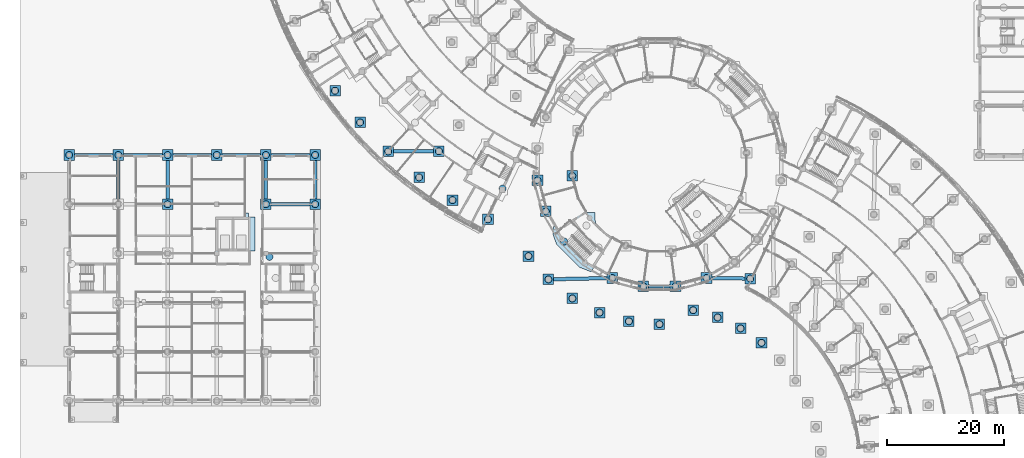
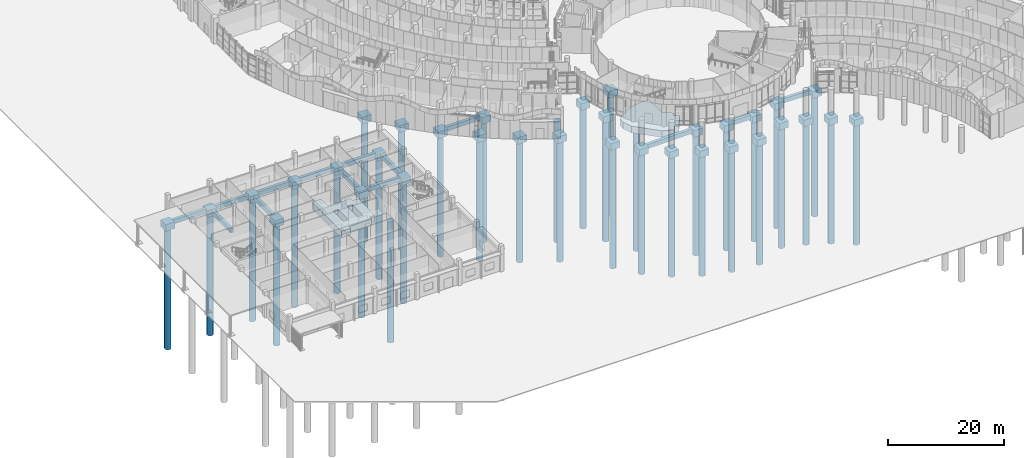
# One storey, part 2 of 146: 50 footings, 37 piles.
"""IFC4 building model written with IfcOpenShell, lengths in metres."""

from ifc_helpers import new_model, si_unit, direction, frame, origin, origin_2d, place, context, subcontext, project, spatial, polyline, rectangle, circle, outline, extrude, material, material_profile, profile_set, type_object, element, save


model = new_model("IFC4")

# Units and contexts
model_context = context("Model", 3, precision=1e-05, world=origin(), true_north=direction((0.0, 1.0)))
body_context = subcontext(model_context, "Body", "Model", "MODEL_VIEW")
ifc_project = project(units=[si_unit("LENGTHUNIT", "METRE"), si_unit("AREAUNIT", "SQUARE_METRE"), si_unit("VOLUMEUNIT", "CUBIC_METRE"), si_unit("PLANEANGLEUNIT", "RADIAN"), si_unit("MASSUNIT", "GRAM", prefix="KILO")], contexts=[model_context])

# Site, building, storey
site_placement = place(None, origin())
site = spatial("IfcSite", under=ifc_project, at=site_placement, CompositionType="ELEMENT")
building_placement = place(site_placement, origin())
building = spatial("IfcBuilding", under=site, at=building_placement, Name="Bougainvillea Quay General Hospital", CompositionType="ELEMENT")
storey_placement = place(building_placement, origin())
storey = spatial("IfcBuildingStorey", under=building, at=storey_placement, Name="L00", CompositionType="ELEMENT", Elevation=0.0)

# Piles
ifc_material_1 = material(Name="Concrete C40", Category="concrete")
ifc_material_profile_1 = material_profile(ifc_material_1, circle(Radius=0.60009765625, at=origin_2d()))
ifc_profile_set_1 = profile_set([ifc_material_profile_1], Name="Concrete C40")
pile_type = type_object("IfcPileType", Name="BORED PILE D1200 C40", PredefinedType="BORED", material=ifc_profile_set_1)
for number, where, z_axis, x_axis, name in (
    (1, (126.632080078125, 43.527099609375, -1.60009765625), (0.0, 0.0, -1.0), (1.0, 0.0, 0.0), "Bored pile 033-01"),
    (2, (123.050048828125, 45.989013671875, -1.60009765625), (0.0, 0.0, -1.0), (1.0, 0.0, 0.0), "Bored pile 036-01"),
    (3, (109.199951171875, 46.699951171875, -1.60009765625), (0.0, 0.0, -1.0), (1.0, 0.0, 0.0), "Bored pile 040-01"),
    (4, (103.990966796875, 47.201904296875, -1.60009765625), (0.0, 0.0, -1.0), (1.0, 0.0, 0.0), "Bored pile 041-01"),
    (5, (119.126953125, 47.860107421875, -1.60009765625), (0.0, 0.0, -1.0), (1.0, 0.0, 0.0), "Bored pile 042-01"),
    (6, (98.972900390625, 48.68798828125, -1.60009765625), (0.0, 0.0, -1.0), (1.0, 0.0, 0.0), "Bored pile 043-01"),
    (7, (114.958984375, 49.094970703125, -1.60009765625), (0.0, 0.0, -1.0), (1.0, 0.0, 0.0), "Bored pile 044-01"),
    (8, (94.3310546875, 51.10400390625, -1.60009765625), (0.0, 0.0, -1.0), (1.0, 0.0, 0.0), "Bored pile 051-01"),
    (9, (106.458984375, 53.179931640625, -1.60009765625), (0.0, 0.0, -1.0), (1.0, 0.0, 0.0), "Bored pile 053-01"),
    (10, (111.94091796875, 53.179931640625, -1.60009765625), (0.0, 0.0, -1.0), (1.0, 0.0, 0.0), "Bored pile 054-01"),
    (11, (90.236083984375, 54.362060546875, -1.60009765625), (0.0, 0.0, -1.0), (1.0, 0.0, 0.0), "Bored pile 058-01"),
    (12, (124.697998046875, 54.492919921875, -1.60009765625), (0.0, 0.0, -1.0), (1.0, 0.0, 0.0), "Bored pile 059-01"),
    (13, (42.60009765625, 58.199951171875, -1.60009765625), (0.0, 0.0, -1.0), (1.0, 0.0, 0.0), "Bored pile 060-05"),
    (14, (101.1640625, 54.59912109375, -1.60009765625), (0.0, 0.0, -1.0), (1.0, 0.0, 0.0), "Bored pile 061-01"),
    (15, (117.236083984375, 54.59912109375, -1.60009765625), (0.0, 0.0, -1.0), (1.0, 0.0, 0.0), "Bored pile 062-01"),
    (16, (86.8369140625, 58.341064453125, -1.60009765625), (0.0, 0.0, -1.0), (1.0, 0.0, 0.0), "Bored pile 069-01"),
    (17, (92.934814453125, 60.818115234375, -1.60009765625), (0.0, 0.0, -1.0), (1.0, 0.0, 0.0), "Bored pile 075-02"),
    (18, (79.925048828125, 64.6240234375, -1.60009765625), (0.0, 0.0, -1.0), (1.0, 0.0, 0.0), "Bored pile 081-01"),
    (19, (89.799072265625, 65.964111328125, -1.60009765625), (0.0, 0.0, -1.0), (1.0, 0.0, 0.0), "Bored pile 083-01"),
    (20, (25.199951171875, 67.199951171875, -1.60009765625), (0.0, 0.0, -1.0), (1.0, 0.0, 0.0), "Bored pile 088-01"),
    (21, (42.0, 67.199951171875, -1.60009765625), (0.0, 0.0, -1.0), (1.0, 0.0, 0.0), "Bored pile 089-01"),
    (22, (50.39990234375, 67.199951171875, -1.60009765625), (0.0, 0.0, -1.0), (1.0, 0.0, 0.0), "Bored pile 090-01"),
    (23, (73.861083984375, 67.904052734375, -1.60009765625), (0.0, 0.0, -1.0), (1.0, 0.0, 0.0), "Bored pile 091-01"),
    (24, (88.3798828125, 71.259033203125, -1.60009765625), (0.0, 0.0, -1.0), (1.0, 0.0, 0.0), "Bored pile 094-01"),
    (25, (68.158935546875, 71.781005859375, -1.60009765625), (0.0, 0.0, -1.0), (1.0, 0.0, 0.0), "Bored pile 096-01"),
    (26, (94.327880859375, 72.0419921875, -1.60009765625), (0.0, 0.0, -1.0), (1.0, 0.0, 0.0), "Bored pile 097-01"),
    (27, (82.421875, 69.859375, -1.60009765625), (0.0, 0.0, -1.0), (1.0, 0.0, 0.0), "Bored pile 098-01"),
    (28, (8.39990234375, 75.60009765625, -1.60009765625), (0.0, 0.0, -1.0), (1.0, 0.0, 0.0), "Bored pile 101-01"),
    (29, (16.800048828125, 75.60009765625, -1.60009765625), (0.0, 0.0, -1.0), (1.0, 0.0, 0.0), "Bored pile 102-01"),
    (30, (25.199951171875, 75.60009765625, -1.60009765625), (0.0, 0.0, -1.0), (1.0, 0.0, 0.0), "Bored pile 103-01"),
    (31, (33.60009765625, 75.60009765625, -1.60009765625), (0.0, 0.0, -1.0), (1.0, 0.0, 0.0), "Bored pile 104-01"),
    (32, (42.0, 75.60009765625, -1.60009765625), (0.0, 0.0, -1.0), (1.0, 0.0, 0.0), "Bored pile 105-01"),
    (33, (50.39990234375, 75.60009765625, -1.60009765625), (0.0, 0.0, -1.0), (1.0, 0.0, 0.0), "Bored pile 106-01"),
    (34, (62.8798828125, 76.216064453125, -1.60009765625), (0.0, 0.0, -1.0), (1.0, 0.0, 0.0), "Bored pile 114-01"),
    (35, (71.5390625, 76.2470703125, -1.60009765625), (0.0, 0.0, -1.0), (1.0, 0.0, 0.0), "Bored pile 115-01"),
    (36, (58.075927734375, 81.1630859375, -1.60009765625), (0.0, 0.0, -1.0), (1.0, 0.0, 0.0), "Bored pile 121-01"),
    (37, (53.799072265625, 86.570068359375, -1.60009765625), (0.0, 0.0, -1.0), (1.0, 0.0, 0.0), "Bored pile 133-01"),
):
    element("IfcPile", number, at=place(storey_placement, frame(where, z_axis=z_axis, x_axis=x_axis)), inside=storey, type_object=pile_type, Name=name, PredefinedType="BORED", context=body_context, shape_type="SweptSolid", body=[
        extrude(circle(Radius=0.60009765625, at=origin_2d()), origin(), (0.0, 0.0, 1.0), 25.39990234375),
    ])

# Footings
ifc_material_2 = material(Name="Concrete C35", Category="concrete")
footing_type_1 = type_object("IfcFootingType", Name="PILE CAP 1P D1200 1800x1800x1400", PredefinedType="PILE_CAP", material=ifc_material_2)
footing_1_placement = place(storey_placement, frame((0.0, 0.0, -1.699951171875)))
element("IfcFooting", 38, at=footing_1_placement, inside=storey, type_object=footing_type_1, Name="Pile cap PC1 033", PredefinedType="PILE_CAP", context=body_context, shape_type="SweptSolid", body=[
    extrude(outline(polyline([(125.73193359375, 42.626953125), (127.531982421875, 42.626953125), (127.531982421875, 44.427001953125), (125.73193359375, 44.427001953125), (125.73193359375, 42.626953125)])), origin(), (0.0, 0.0, 1.0), 1.39990234375),
])
footing_2_placement = place(storey_placement, frame((0.0, 0.0, -1.699951171875)))
element("IfcFooting", 39, at=footing_2_placement, inside=storey, type_object=footing_type_1, Name="Pile cap PC1 036", PredefinedType="PILE_CAP", context=body_context, shape_type="SweptSolid", body=[
    extrude(outline(polyline([(122.14990234375, 45.089111328125), (123.949951171875, 45.089111328125), (123.949951171875, 46.888916015625), (122.14990234375, 46.888916015625), (122.14990234375, 45.089111328125)])), origin(), (0.0, 0.0, 1.0), 1.39990234375),
])
footing_3_placement = place(storey_placement, frame((0.0, 0.0, -1.699951171875)))
element("IfcFooting", 40, at=footing_3_placement, inside=storey, type_object=footing_type_1, Name="Pile cap PC1 040", PredefinedType="PILE_CAP", context=body_context, shape_type="SweptSolid", body=[
    extrude(outline(polyline([(108.300048828125, 45.800048828125), (110.10009765625, 45.800048828125), (110.10009765625, 47.60009765625), (108.300048828125, 47.60009765625), (108.300048828125, 45.800048828125)])), origin(), (0.0, 0.0, 1.0), 1.39990234375),
])
footing_4_placement = place(storey_placement, frame((0.0, 0.0, -1.699951171875)))
element("IfcFooting", 41, at=footing_4_placement, inside=storey, type_object=footing_type_1, Name="Pile cap PC1 041", PredefinedType="PILE_CAP", context=body_context, shape_type="SweptSolid", body=[
    extrude(outline(polyline([(103.091064453125, 46.302001953125), (104.89111328125, 46.302001953125), (104.89111328125, 48.10205078125), (103.091064453125, 48.10205078125), (103.091064453125, 46.302001953125)])), origin(), (0.0, 0.0, 1.0), 1.39990234375),
])
footing_5_placement = place(storey_placement, frame((0.0, 0.0, -1.699951171875)))
element("IfcFooting", 42, at=footing_5_placement, inside=storey, type_object=footing_type_1, Name="Pile cap PC1 042", PredefinedType="PILE_CAP", context=body_context, shape_type="SweptSolid", body=[
    extrude(outline(polyline([(118.22705078125, 46.9599609375), (120.027099609375, 46.9599609375), (120.027099609375, 48.760009765625), (118.22705078125, 48.760009765625), (118.22705078125, 46.9599609375)])), origin(), (0.0, 0.0, 1.0), 1.39990234375),
])
footing_6_placement = place(storey_placement, frame((0.0, 0.0, -1.699951171875)))
element("IfcFooting", 43, at=footing_6_placement, inside=storey, type_object=footing_type_1, Name="Pile cap PC1 043", PredefinedType="PILE_CAP", context=body_context, shape_type="SweptSolid", body=[
    extrude(outline(polyline([(98.072998046875, 47.7880859375), (99.873046875, 47.7880859375), (99.873046875, 49.587890625), (98.072998046875, 49.587890625), (98.072998046875, 47.7880859375)])), origin(), (0.0, 0.0, 1.0), 1.39990234375),
])
footing_7_placement = place(storey_placement, frame((0.0, 0.0, -1.699951171875)))
element("IfcFooting", 44, at=footing_7_placement, inside=storey, type_object=footing_type_1, Name="Pile cap PC1 044", PredefinedType="PILE_CAP", context=body_context, shape_type="SweptSolid", body=[
    extrude(outline(polyline([(114.05908203125, 48.195068359375), (115.85888671875, 48.195068359375), (115.85888671875, 49.9951171875), (114.05908203125, 49.9951171875), (114.05908203125, 48.195068359375)])), origin(), (0.0, 0.0, 1.0), 1.39990234375),
])
footing_8_placement = place(storey_placement, frame((0.0, 0.0, -1.699951171875)))
element("IfcFooting", 45, at=footing_8_placement, inside=storey, type_object=footing_type_1, Name="Pile cap PC1 051", PredefinedType="PILE_CAP", context=body_context, shape_type="SweptSolid", body=[
    extrude(outline(polyline([(93.430908203125, 50.2041015625), (95.23095703125, 50.2041015625), (95.23095703125, 52.00390625), (93.430908203125, 52.00390625), (93.430908203125, 50.2041015625)])), origin(), (0.0, 0.0, 1.0), 1.39990234375),
])
footing_9_placement = place(storey_placement, frame((0.0, 0.0, -1.699951171875)))
element("IfcFooting", 46, at=footing_9_placement, inside=storey, type_object=footing_type_1, Name="Pile cap PC1 053", PredefinedType="PILE_CAP", context=body_context, shape_type="SweptSolid", body=[
    extrude(outline(polyline([(105.55908203125, 52.280029296875), (107.35888671875, 52.280029296875), (107.35888671875, 54.080078125), (105.55908203125, 54.080078125), (105.55908203125, 52.280029296875)])), origin(), (0.0, 0.0, 1.0), 1.39990234375),
])
footing_10_placement = place(storey_placement, frame((0.0, 0.0, -1.699951171875)))
element("IfcFooting", 47, at=footing_10_placement, inside=storey, type_object=footing_type_1, Name="Pile cap PC1 054", PredefinedType="PILE_CAP", context=body_context, shape_type="SweptSolid", body=[
    extrude(outline(polyline([(111.041015625, 52.280029296875), (112.841064453125, 52.280029296875), (112.841064453125, 54.080078125), (111.041015625, 54.080078125), (111.041015625, 52.280029296875)])), origin(), (0.0, 0.0, 1.0), 1.39990234375),
])
footing_11_placement = place(storey_placement, frame((0.0, 0.0, -1.699951171875)))
element("IfcFooting", 48, at=footing_11_placement, inside=storey, type_object=footing_type_1, Name="Pile cap PC1 058", PredefinedType="PILE_CAP", context=body_context, shape_type="SweptSolid", body=[
    extrude(outline(polyline([(89.3359375, 53.4619140625), (91.135986328125, 53.4619140625), (91.135986328125, 55.261962890625), (89.3359375, 55.261962890625), (89.3359375, 53.4619140625)])), origin(), (0.0, 0.0, 1.0), 1.39990234375),
])
footing_12_placement = place(storey_placement, frame((0.0, 0.0, -1.699951171875)))
element("IfcFooting", 49, at=footing_12_placement, inside=storey, type_object=footing_type_1, Name="Pile cap PC1 059", PredefinedType="PILE_CAP", context=body_context, shape_type="SweptSolid", body=[
    extrude(outline(polyline([(123.798095703125, 53.593017578125), (125.597900390625, 53.593017578125), (125.597900390625, 55.39306640625), (123.798095703125, 55.39306640625), (123.798095703125, 53.593017578125)])), origin(), (0.0, 0.0, 1.0), 1.39990234375),
])
footing_13_placement = place(storey_placement, frame((0.0, 0.0, -1.699951171875)))
element("IfcFooting", 50, at=footing_13_placement, inside=storey, type_object=footing_type_1, Name="Pile cap PC1 061", PredefinedType="PILE_CAP", context=body_context, shape_type="SweptSolid", body=[
    extrude(outline(polyline([(100.263916015625, 53.698974609375), (102.06396484375, 53.698974609375), (102.06396484375, 55.4990234375), (100.263916015625, 55.4990234375), (100.263916015625, 53.698974609375)])), origin(), (0.0, 0.0, 1.0), 1.39990234375),
])
footing_14_placement = place(storey_placement, frame((0.0, 0.0, -1.699951171875)))
element("IfcFooting", 51, at=footing_14_placement, inside=storey, type_object=footing_type_1, Name="Pile cap PC1 062", PredefinedType="PILE_CAP", context=body_context, shape_type="SweptSolid", body=[
    extrude(outline(polyline([(116.3359375, 53.698974609375), (118.135986328125, 53.698974609375), (118.135986328125, 55.4990234375), (116.3359375, 55.4990234375), (116.3359375, 53.698974609375)])), origin(), (0.0, 0.0, 1.0), 1.39990234375),
])
footing_15_placement = place(storey_placement, frame((0.0, 0.0, -1.699951171875)))
element("IfcFooting", 52, at=footing_15_placement, inside=storey, type_object=footing_type_1, Name="Pile cap PC1 069", PredefinedType="PILE_CAP", context=body_context, shape_type="SweptSolid", body=[
    extrude(outline(polyline([(85.93701171875, 57.44091796875), (87.737060546875, 57.44091796875), (87.737060546875, 59.240966796875), (85.93701171875, 59.240966796875), (85.93701171875, 57.44091796875)])), origin(), (0.0, 0.0, 1.0), 1.39990234375),
])
footing_16_placement = place(storey_placement, frame((0.0, 0.0, -1.699951171875)))
element("IfcFooting", 53, at=footing_16_placement, inside=storey, type_object=footing_type_1, Name="Pile cap PC1 081", PredefinedType="PILE_CAP", context=body_context, shape_type="SweptSolid", body=[
    extrude(outline(polyline([(79.02490234375, 63.72412109375), (80.824951171875, 63.72412109375), (80.824951171875, 65.52392578125), (79.02490234375, 65.52392578125), (79.02490234375, 63.72412109375)])), origin(), (0.0, 0.0, 1.0), 1.39990234375),
])
footing_17_placement = place(storey_placement, frame((0.0, 0.0, -1.699951171875)))
element("IfcFooting", 54, at=footing_17_placement, inside=storey, type_object=footing_type_1, Name="Pile cap PC1 083", PredefinedType="PILE_CAP", context=body_context, shape_type="SweptSolid", body=[
    extrude(outline(polyline([(88.89892578125, 65.06396484375), (90.698974609375, 65.06396484375), (90.698974609375, 66.864013671875), (88.89892578125, 66.864013671875), (88.89892578125, 65.06396484375)])), origin(), (0.0, 0.0, 1.0), 1.39990234375),
])
footing_18_placement = place(storey_placement, frame((0.0, 0.0, -1.699951171875)))
element("IfcFooting", 55, at=footing_18_placement, inside=storey, type_object=footing_type_1, Name="Pile cap PC1 088", PredefinedType="PILE_CAP", context=body_context, shape_type="SweptSolid", body=[
    extrude(outline(polyline([(24.300048828125, 66.300048828125), (26.10009765625, 66.300048828125), (26.10009765625, 68.10009765625), (24.300048828125, 68.10009765625), (24.300048828125, 66.300048828125)])), origin(), (0.0, 0.0, 1.0), 1.39990234375),
])
footing_19_placement = place(storey_placement, frame((0.0, 0.0, -1.699951171875)))
element("IfcFooting", 56, at=footing_19_placement, inside=storey, type_object=footing_type_1, Name="Pile cap PC1 089", PredefinedType="PILE_CAP", context=body_context, shape_type="SweptSolid", body=[
    extrude(outline(polyline([(41.10009765625, 66.300048828125), (42.89990234375, 66.300048828125), (42.89990234375, 68.10009765625), (41.10009765625, 68.10009765625), (41.10009765625, 66.300048828125)])), origin(), (0.0, 0.0, 1.0), 1.39990234375),
])
footing_20_placement = place(storey_placement, frame((0.0, 0.0, -1.699951171875)))
element("IfcFooting", 57, at=footing_20_placement, inside=storey, type_object=footing_type_1, Name="Pile cap PC1 090", PredefinedType="PILE_CAP", context=body_context, shape_type="SweptSolid", body=[
    extrude(outline(polyline([(49.5, 66.300048828125), (51.300048828125, 66.300048828125), (51.300048828125, 68.10009765625), (49.5, 68.10009765625), (49.5, 66.300048828125)])), origin(), (0.0, 0.0, 1.0), 1.39990234375),
])
footing_21_placement = place(storey_placement, frame((0.0, 0.0, -1.699951171875)))
element("IfcFooting", 58, at=footing_21_placement, inside=storey, type_object=footing_type_1, Name="Pile cap PC1 091", PredefinedType="PILE_CAP", context=body_context, shape_type="SweptSolid", body=[
    extrude(outline(polyline([(72.9609375, 67.00390625), (74.760986328125, 67.00390625), (74.760986328125, 68.803955078125), (72.9609375, 68.803955078125), (72.9609375, 67.00390625)])), origin(), (0.0, 0.0, 1.0), 1.39990234375),
])
footing_22_placement = place(storey_placement, frame((0.0, 0.0, -1.699951171875)))
element("IfcFooting", 59, at=footing_22_placement, inside=storey, type_object=footing_type_1, Name="Pile cap PC1 094", PredefinedType="PILE_CAP", context=body_context, shape_type="SweptSolid", body=[
    extrude(outline(polyline([(87.47998046875, 70.35888671875), (89.280029296875, 70.35888671875), (89.280029296875, 72.158935546875), (87.47998046875, 72.158935546875), (87.47998046875, 70.35888671875)])), origin(), (0.0, 0.0, 1.0), 1.39990234375),
])
footing_23_placement = place(storey_placement, frame((0.0, 0.0, -1.699951171875)))
element("IfcFooting", 60, at=footing_23_placement, inside=storey, type_object=footing_type_1, Name="Pile cap PC1 096", PredefinedType="PILE_CAP", context=body_context, shape_type="SweptSolid", body=[
    extrude(outline(polyline([(67.259033203125, 70.881103515625), (69.05908203125, 70.881103515625), (69.05908203125, 72.680908203125), (67.259033203125, 72.680908203125), (67.259033203125, 70.881103515625)])), origin(), (0.0, 0.0, 1.0), 1.39990234375),
])
footing_24_placement = place(storey_placement, frame((0.0, 0.0, -1.699951171875)))
element("IfcFooting", 61, at=footing_24_placement, inside=storey, type_object=footing_type_1, Name="Pile cap PC1 097", PredefinedType="PILE_CAP", context=body_context, shape_type="SweptSolid", body=[
    extrude(outline(polyline([(93.427978515625, 71.14208984375), (95.22802734375, 71.14208984375), (95.22802734375, 72.94189453125), (93.427978515625, 72.94189453125), (93.427978515625, 71.14208984375)])), origin(), (0.0, 0.0, 1.0), 1.39990234375),
])
footing_25_placement = place(storey_placement, frame((0.0, 0.0, -1.699951171875)))
element("IfcFooting", 62, at=footing_25_placement, inside=storey, type_object=footing_type_1, Name="Pile cap PC1 101", PredefinedType="PILE_CAP", context=body_context, shape_type="SweptSolid", body=[
    extrude(outline(polyline([(7.5, 74.699951171875), (9.300048828125, 74.699951171875), (9.300048828125, 76.5), (7.5, 76.5), (7.5, 74.699951171875)])), origin(), (0.0, 0.0, 1.0), 1.39990234375),
])
footing_26_placement = place(storey_placement, frame((0.0, 0.0, -1.699951171875)))
element("IfcFooting", 63, at=footing_26_placement, inside=storey, type_object=footing_type_1, Name="Pile cap PC1 102", PredefinedType="PILE_CAP", context=body_context, shape_type="SweptSolid", body=[
    extrude(outline(polyline([(15.89990234375, 74.699951171875), (17.699951171875, 74.699951171875), (17.699951171875, 76.5), (15.89990234375, 76.5), (15.89990234375, 74.699951171875)])), origin(), (0.0, 0.0, 1.0), 1.39990234375),
])
footing_27_placement = place(storey_placement, frame((0.0, 0.0, -1.699951171875)))
element("IfcFooting", 64, at=footing_27_placement, inside=storey, type_object=footing_type_1, Name="Pile cap PC1 103", PredefinedType="PILE_CAP", context=body_context, shape_type="SweptSolid", body=[
    extrude(outline(polyline([(24.300048828125, 74.699951171875), (26.10009765625, 74.699951171875), (26.10009765625, 76.5), (24.300048828125, 76.5), (24.300048828125, 74.699951171875)])), origin(), (0.0, 0.0, 1.0), 1.39990234375),
])
footing_28_placement = place(storey_placement, frame((0.0, 0.0, -1.699951171875)))
element("IfcFooting", 65, at=footing_28_placement, inside=storey, type_object=footing_type_1, Name="Pile cap PC1 104", PredefinedType="PILE_CAP", context=body_context, shape_type="SweptSolid", body=[
    extrude(outline(polyline([(32.699951171875, 74.699951171875), (34.5, 74.699951171875), (34.5, 76.5), (32.699951171875, 76.5), (32.699951171875, 74.699951171875)])), origin(), (0.0, 0.0, 1.0), 1.39990234375),
])
footing_29_placement = place(storey_placement, frame((0.0, 0.0, -1.699951171875)))
element("IfcFooting", 66, at=footing_29_placement, inside=storey, type_object=footing_type_1, Name="Pile cap PC1 105", PredefinedType="PILE_CAP", context=body_context, shape_type="SweptSolid", body=[
    extrude(outline(polyline([(41.10009765625, 74.699951171875), (42.89990234375, 74.699951171875), (42.89990234375, 76.5), (41.10009765625, 76.5), (41.10009765625, 74.699951171875)])), origin(), (0.0, 0.0, 1.0), 1.39990234375),
])
footing_30_placement = place(storey_placement, frame((0.0, 0.0, -1.699951171875)))
element("IfcFooting", 67, at=footing_30_placement, inside=storey, type_object=footing_type_1, Name="Pile cap PC1 106", PredefinedType="PILE_CAP", context=body_context, shape_type="SweptSolid", body=[
    extrude(outline(polyline([(49.5, 74.699951171875), (51.300048828125, 74.699951171875), (51.300048828125, 76.5), (49.5, 76.5), (49.5, 74.699951171875)])), origin(), (0.0, 0.0, 1.0), 1.39990234375),
])
footing_31_placement = place(storey_placement, frame((0.0, 0.0, -1.699951171875)))
element("IfcFooting", 68, at=footing_31_placement, inside=storey, type_object=footing_type_1, Name="Pile cap PC1 114", PredefinedType="PILE_CAP", context=body_context, shape_type="SweptSolid", body=[
    extrude(outline(polyline([(61.97998046875, 75.31591796875), (63.780029296875, 75.31591796875), (63.780029296875, 77.115966796875), (61.97998046875, 77.115966796875), (61.97998046875, 75.31591796875)])), origin(), (0.0, 0.0, 1.0), 1.39990234375),
])
footing_32_placement = place(storey_placement, frame((0.0, 0.0, -1.699951171875)))
element("IfcFooting", 69, at=footing_32_placement, inside=storey, type_object=footing_type_1, Name="Pile cap PC1 115", PredefinedType="PILE_CAP", context=body_context, shape_type="SweptSolid", body=[
    extrude(outline(polyline([(70.638916015625, 75.346923828125), (72.43896484375, 75.346923828125), (72.43896484375, 77.14697265625), (70.638916015625, 77.14697265625), (70.638916015625, 75.346923828125)])), origin(), (0.0, 0.0, 1.0), 1.39990234375),
])
footing_33_placement = place(storey_placement, frame((0.0, 0.0, -1.699951171875)))
element("IfcFooting", 70, at=footing_33_placement, inside=storey, type_object=footing_type_1, Name="Pile cap PC1 121", PredefinedType="PILE_CAP", context=body_context, shape_type="SweptSolid", body=[
    extrude(outline(polyline([(57.176025390625, 80.262939453125), (58.97607421875, 80.262939453125), (58.97607421875, 82.06298828125), (57.176025390625, 82.06298828125), (57.176025390625, 80.262939453125)])), origin(), (0.0, 0.0, 1.0), 1.39990234375),
])
footing_34_placement = place(storey_placement, frame((0.0, 0.0, -1.699951171875)))
element("IfcFooting", 71, at=footing_34_placement, inside=storey, type_object=footing_type_1, Name="Pile cap PC1 133", PredefinedType="PILE_CAP", context=body_context, shape_type="SweptSolid", body=[
    extrude(outline(polyline([(52.89892578125, 85.669921875), (54.698974609375, 85.669921875), (54.698974609375, 87.469970703125), (52.89892578125, 87.469970703125), (52.89892578125, 85.669921875)])), origin(), (0.0, 0.0, 1.0), 1.39990234375),
])
footing_type_2 = type_object("IfcFootingType", Name="PILE CAP RAFT 0P D1200 4992", PredefinedType="PILE_CAP", material=ifc_material_2)
footing_35_placement = place(storey_placement, frame((0.0, 0.0, -1.699951171875)))
element("IfcFooting", 72, at=footing_35_placement, inside=storey, type_object=footing_type_2, Name="Pile cap PC7 079", PredefinedType="PILE_CAP", context=body_context, shape_type="SweptSolid", body=[
    extrude(outline(polyline([(40.10009765625, 64.97509765625), (40.10009765625, 59.22509765625), (39.02490234375, 59.22509765625), (39.02490234375, 58.5), (34.5, 58.5), (34.5, 57.89990234375), (32.699951171875, 57.89990234375), (32.699951171875, 68.10009765625), (34.5, 68.10009765625), (34.5, 65.699951171875), (39.02490234375, 65.699951171875), (39.02490234375, 64.97509765625), (40.10009765625, 64.97509765625)]), holes=[polyline([(38.300048828125, 63.89990234375), (37.300048828125, 63.89990234375), (37.300048828125, 60.300048828125), (38.300048828125, 60.300048828125), (38.300048828125, 63.89990234375)]), polyline([(34.5, 60.300048828125), (35.5, 60.300048828125), (35.5, 63.89990234375), (34.5, 63.89990234375), (34.5, 60.300048828125)])]), origin(), (0.0, 0.0, 1.0), 1.39990234375),
])
footing_type_3 = type_object("IfcFootingType", Name="PILE CAP RAFT 3P D1200 5940", PredefinedType="PILE_CAP", material=ifc_material_2)
footing_36_placement = place(storey_placement, frame((0.0, 0.0, -1.699951171875)))
element("IfcFooting", 73, at=footing_36_placement, inside=storey, type_object=footing_type_3, Name="Pile cap PC6 075", PredefinedType="PILE_CAP", context=body_context, shape_type="SweptSolid", body=[
    extrude(outline(polyline([(100.001708984375, 60.06982421875), (99.570068359375, 59.476318359375), (100.464111328125, 58.8955078125), (98.695068359375, 56.171630859375), (98.07958984375, 56.5712890625), (97.546630859375, 55.648193359375), (95.51611328125, 56.43994140625), (91.639892578125, 60.31591796875), (91.02294921875, 62.04345703125), (91.078125, 63.304443359375), (94.095703125, 65.26416015625), (96.39990234375, 65.76904296875), (98.199951171875, 65.76904296875), (98.3271484375, 61.35009765625), (98.691162109375, 61.022216796875), (100.001708984375, 60.06982421875)])), origin(), (0.0, 0.0, 1.0), 1.39990234375),
])
ifc_material_profile_2 = material_profile(ifc_material_2, rectangle(XDim=0.60009765625, YDim=0.89990234375, at=origin_2d()))
ifc_profile_set_2 = profile_set([ifc_material_profile_2], Name="Concrete C35")
footing_type_4 = type_object("IfcFootingType", Name="RC GROUND BEAM 600x900 C35", PredefinedType="FOOTING_BEAM", material=ifc_profile_set_2)
footing_37_placement = place(storey_placement, frame((0.0, 0.0, -1.199951171875)))
element("IfcFooting", 74, at=footing_37_placement, inside=storey, type_object=footing_type_4, Name="Ground beam 054", PredefinedType="FOOTING_BEAM", context=body_context, shape_type="SweptSolid", body=[
    extrude(outline(polyline([(107.35888671875, 53.47998046875), (111.041015625, 53.47998046875), (111.041015625, 52.8798828125), (107.35888671875, 52.8798828125), (107.35888671875, 53.47998046875)])), origin(), (0.0, 0.0, 1.0), 0.89990234375),
])
footing_38_placement = place(storey_placement, frame((0.0, 0.0, -1.199951171875)))
element("IfcFooting", 75, at=footing_38_placement, inside=storey, type_object=footing_type_4, Name="Ground beam 059", PredefinedType="FOOTING_BEAM", context=body_context, shape_type="SweptSolid", body=[
    extrude(outline(polyline([(91.12939453125, 54.681396484375), (100.257568359375, 54.87939453125), (100.2705078125, 54.279541015625), (91.142578125, 54.08154296875), (91.12939453125, 54.681396484375)])), origin(), (0.0, 0.0, 1.0), 0.89990234375),
])
footing_39_placement = place(storey_placement, frame((0.0, 0.0, -1.199951171875)))
element("IfcFooting", 76, at=footing_39_placement, inside=storey, type_object=footing_type_4, Name="Ground beam 066", PredefinedType="FOOTING_BEAM", context=body_context, shape_type="SweptSolid", body=[
    extrude(outline(polyline([(118.140380859375, 54.88623046875), (123.80224609375, 54.8056640625), (123.793701171875, 54.205810546875), (118.1318359375, 54.2861328125), (118.140380859375, 54.88623046875)])), origin(), (0.0, 0.0, 1.0), 0.89990234375),
])
footing_40_placement = place(storey_placement, frame((0.0, 0.0, -1.199951171875)))
element("IfcFooting", 77, at=footing_40_placement, inside=storey, type_object=footing_type_4, Name="Ground beam 093", PredefinedType="FOOTING_BEAM", context=body_context, shape_type="SweptSolid", body=[
    extrude(outline(polyline([(16.5, 68.10009765625), (16.5, 74.699951171875), (17.10009765625, 74.699951171875), (17.10009765625, 68.10009765625), (16.5, 68.10009765625)])), origin(), (0.0, 0.0, 1.0), 0.89990234375),
])
footing_41_placement = place(storey_placement, frame((0.0, 0.0, -1.199951171875)))
element("IfcFooting", 78, at=footing_41_placement, inside=storey, type_object=footing_type_4, Name="Ground beam 095", PredefinedType="FOOTING_BEAM", context=body_context, shape_type="SweptSolid", body=[
    extrude(outline(polyline([(24.89990234375, 68.10009765625), (24.89990234375, 74.699951171875), (25.5, 74.699951171875), (25.5, 68.10009765625), (24.89990234375, 68.10009765625)])), origin(), (0.0, 0.0, 1.0), 0.89990234375),
])
footing_42_placement = place(storey_placement, frame((0.0, 0.0, -1.199951171875)))
element("IfcFooting", 79, at=footing_42_placement, inside=storey, type_object=footing_type_4, Name="Ground beam 096", PredefinedType="FOOTING_BEAM", context=body_context, shape_type="SweptSolid", body=[
    extrude(outline(polyline([(42.89990234375, 67.5), (49.5, 67.5), (49.5, 66.89990234375), (42.89990234375, 66.89990234375), (42.89990234375, 67.5)])), origin(), (0.0, 0.0, 1.0), 0.89990234375),
])
footing_43_placement = place(storey_placement, frame((0.0, 0.0, -1.199951171875)))
element("IfcFooting", 80, at=footing_43_placement, inside=storey, type_object=footing_type_4, Name="Ground beam 097", PredefinedType="FOOTING_BEAM", context=body_context, shape_type="SweptSolid", body=[
    extrude(outline(polyline([(41.699951171875, 68.10009765625), (41.699951171875, 74.699951171875), (42.300048828125, 74.699951171875), (42.300048828125, 68.10009765625), (41.699951171875, 68.10009765625)])), origin(), (0.0, 0.0, 1.0), 0.89990234375),
])
footing_44_placement = place(storey_placement, frame((0.0, 0.0, -1.199951171875)))
element("IfcFooting", 81, at=footing_44_placement, inside=storey, type_object=footing_type_4, Name="Ground beam 098", PredefinedType="FOOTING_BEAM", context=body_context, shape_type="SweptSolid", body=[
    extrude(outline(polyline([(50.10009765625, 68.10009765625), (50.10009765625, 74.699951171875), (50.699951171875, 74.699951171875), (50.699951171875, 68.10009765625), (50.10009765625, 68.10009765625)])), origin(), (0.0, 0.0, 1.0), 0.89990234375),
])
footing_45_placement = place(storey_placement, frame((0.0, 0.0, -1.199951171875)))
element("IfcFooting", 82, at=footing_45_placement, inside=storey, type_object=footing_type_4, Name="Ground beam 108", PredefinedType="FOOTING_BEAM", context=body_context, shape_type="SweptSolid", body=[
    extrude(outline(polyline([(9.300048828125, 75.89990234375), (15.89990234375, 75.89990234375), (15.89990234375, 75.300048828125), (9.300048828125, 75.300048828125), (9.300048828125, 75.89990234375)])), origin(), (0.0, 0.0, 1.0), 0.89990234375),
])
footing_46_placement = place(storey_placement, frame((0.0, 0.0, -1.199951171875)))
element("IfcFooting", 83, at=footing_46_placement, inside=storey, type_object=footing_type_4, Name="Ground beam 109", PredefinedType="FOOTING_BEAM", context=body_context, shape_type="SweptSolid", body=[
    extrude(outline(polyline([(17.699951171875, 75.89990234375), (24.300048828125, 75.89990234375), (24.300048828125, 75.300048828125), (17.699951171875, 75.300048828125), (17.699951171875, 75.89990234375)])), origin(), (0.0, 0.0, 1.0), 0.89990234375),
])
footing_47_placement = place(storey_placement, frame((0.0, 0.0, -1.199951171875)))
element("IfcFooting", 84, at=footing_47_placement, inside=storey, type_object=footing_type_4, Name="Ground beam 110", PredefinedType="FOOTING_BEAM", context=body_context, shape_type="SweptSolid", body=[
    extrude(outline(polyline([(26.10009765625, 75.89990234375), (32.699951171875, 75.89990234375), (32.699951171875, 75.300048828125), (26.10009765625, 75.300048828125), (26.10009765625, 75.89990234375)])), origin(), (0.0, 0.0, 1.0), 0.89990234375),
])
footing_48_placement = place(storey_placement, frame((0.0, 0.0, -1.199951171875)))
element("IfcFooting", 85, at=footing_48_placement, inside=storey, type_object=footing_type_4, Name="Ground beam 111", PredefinedType="FOOTING_BEAM", context=body_context, shape_type="SweptSolid", body=[
    extrude(outline(polyline([(34.5, 75.89990234375), (41.10009765625, 75.89990234375), (41.10009765625, 75.300048828125), (34.5, 75.300048828125), (34.5, 75.89990234375)])), origin(), (0.0, 0.0, 1.0), 0.89990234375),
])
footing_49_placement = place(storey_placement, frame((0.0, 0.0, -1.199951171875)))
element("IfcFooting", 86, at=footing_49_placement, inside=storey, type_object=footing_type_4, Name="Ground beam 112", PredefinedType="FOOTING_BEAM", context=body_context, shape_type="SweptSolid", body=[
    extrude(outline(polyline([(42.89990234375, 75.89990234375), (49.5, 75.89990234375), (49.5, 75.300048828125), (42.89990234375, 75.300048828125), (42.89990234375, 75.89990234375)])), origin(), (0.0, 0.0, 1.0), 0.89990234375),
])
footing_50_placement = place(storey_placement, frame((0.0, 0.0, -1.199951171875)))
element("IfcFooting", 87, at=footing_50_placement, inside=storey, type_object=footing_type_4, Name="Ground beam 127", PredefinedType="FOOTING_BEAM", context=body_context, shape_type="SweptSolid", body=[
    extrude(outline(polyline([(63.77880859375, 76.519287109375), (70.637939453125, 76.543701171875), (70.64013671875, 75.94384765625), (63.781005859375, 75.919189453125), (63.77880859375, 76.519287109375)])), origin(), (0.0, 0.0, 1.0), 0.89990234375),
])

save(model, "model.ifc")
